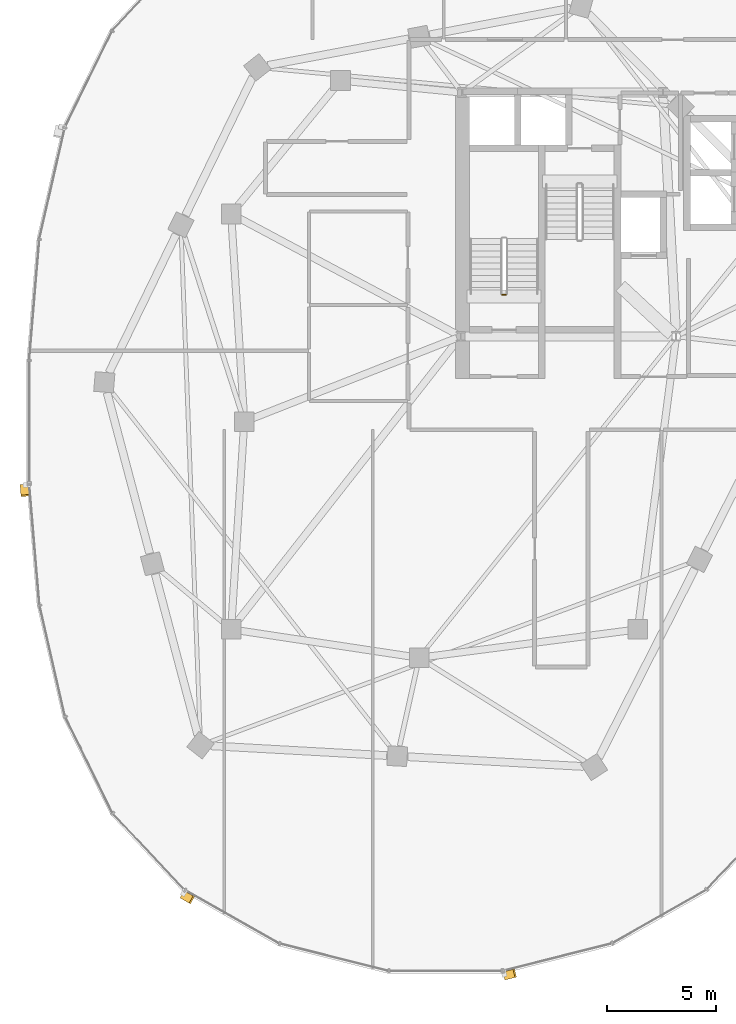
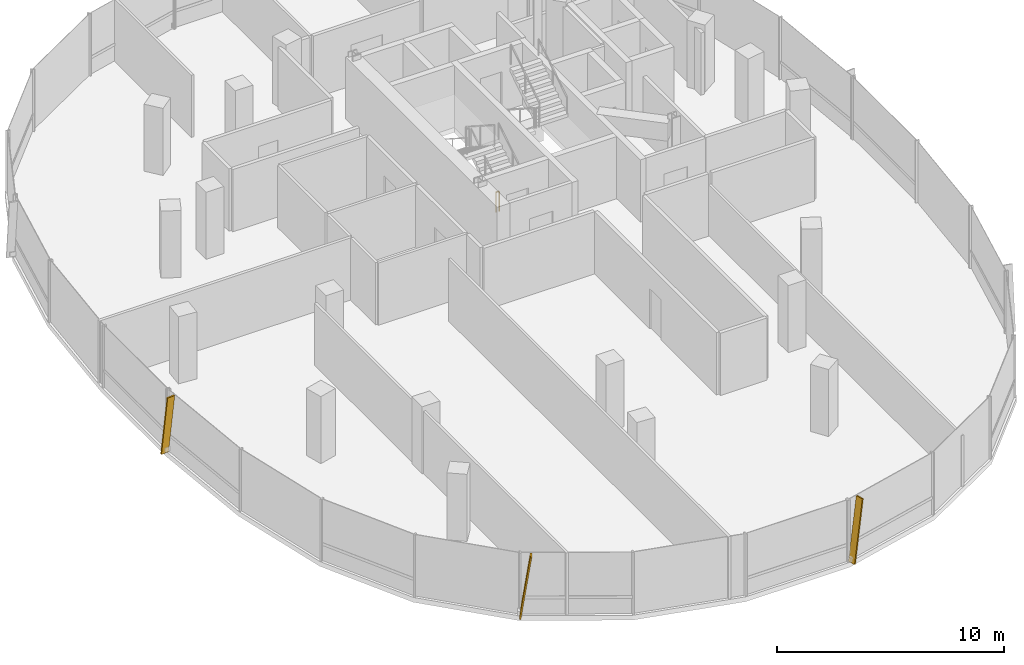
# One storey, part 21 of 25: 3 shading devices, 1 railing.
"""IFC4 building model written with IfcOpenShell, lengths in metres."""

import ifcopenshell
import ifcopenshell.guid

model = None  # the IFC model being written
_history = None  # IfcOwnerHistory: only IFC2X3 demands one
_inside = {}  # id of a spatial element -> (the spatial element, [elements in it])
_under = {}  # id of a project, library or spatial element -> (it, [spatial elements below it])
_declared = {}  # id of a project -> (the project, [libraries it declares])
_typed = {}  # id of a type object -> (the type object, [elements of that type])
_made_of = {}  # id of a material, layer set ... -> (it, [elements and type objects made of it])


def new_model(schema):
    """Start an empty IFC model of exactly this schema.

    Asked for "IFC4X3", IfcOpenShell would pick the latest addendum, in which some entities
    have other attributes; the version numbers below select the first issue.
    IFC2X3 requires an IfcOwnerHistory on every rooted entity: one is made here for all.
    """
    global model, _history
    if schema == "IFC4X3":
        model = ifcopenshell.file(schema_version=(4, 3, 0, 0))
    else:
        model = ifcopenshell.file(schema=schema)
    _inside.clear()
    _under.clear()
    _declared.clear()
    _typed.clear()
    _made_of.clear()
    _history = None
    if model.schema == "IFC2X3":
        org = make("IfcOrganization", Name="unknown")
        user = make(
            "IfcPersonAndOrganization",
            ThePerson=make("IfcPerson", FamilyName="unknown"),
            TheOrganization=org,
        )
        app = make(
            "IfcApplication",
            ApplicationDeveloper=org,
            Version="unknown",
            ApplicationFullName="unknown",
            ApplicationIdentifier="unknown",
        )
        _history = make(
            "IfcOwnerHistory",
            OwningUser=user,
            OwningApplication=app,
            ChangeAction="ADDED",
            CreationDate=0,
        )
    return model


def make(cls, **values):
    """One entity of the class cls with the attributes given. An attribute that is None is left unset."""
    return model.create_entity(
        cls, **{name: value for name, value in values.items() if value is not None}
    )


def rooted(cls, **values):
    """An entity with a GlobalId (a new one), such as an element, a storey or a relation."""
    return make(cls, GlobalId=ifcopenshell.guid.new(), OwnerHistory=_history, **values)


def si_unit(unit_type, name, prefix=None):
    """IfcSIUnit, for example si_unit("LENGTHUNIT", "METRE", prefix="MILLI")."""
    return make("IfcSIUnit", UnitType=unit_type, Prefix=prefix, Name=name)


def assignment(units):
    """IfcUnitAssignment: the units of a project."""
    return None if units is None else make("IfcUnitAssignment", Units=units)


def point(xyz):
    """IfcCartesianPoint."""
    return None if xyz is None else make("IfcCartesianPoint", Coordinates=xyz)


def direction(xyz):
    """IfcDirection."""
    return None if xyz is None else make("IfcDirection", DirectionRatios=xyz)


def frame(location, z_axis=None, x_axis=None):
    """IfcAxis2Placement3D, a coordinate frame: its origin and axes. An axis left out is left unset."""
    return make(
        "IfcAxis2Placement3D",
        Location=point(location),
        Axis=direction(z_axis),
        RefDirection=direction(x_axis),
    )


def frame_2d(location, x_axis=None):
    """IfcAxis2Placement2D, a coordinate frame in the plane: its origin and x axis."""
    return make(
        "IfcAxis2Placement2D", Location=point(location), RefDirection=direction(x_axis)
    )


def origin():
    """The frame at (0, 0, 0) with its axes left unset."""
    return frame((0.0, 0.0, 0.0))


def origin_2d():
    """The frame at (0, 0) in the plane with its x axis left unset."""
    return frame_2d((0.0, 0.0))


def place(relative_to, where):
    """IfcLocalPlacement: puts the frame where relative to a parent placement (None: the world)."""
    return make(
        "IfcLocalPlacement", PlacementRelTo=relative_to, RelativePlacement=where
    )


def context(
    kind, dimensions, precision=None, world=None, true_north=None, identifier=None
):
    """IfcGeometricRepresentationContext, for example the 3D "Model" context."""
    return make(
        "IfcGeometricRepresentationContext",
        ContextIdentifier=identifier,
        ContextType=kind,
        CoordinateSpaceDimension=dimensions,
        Precision=precision,
        WorldCoordinateSystem=world,
        TrueNorth=true_north,
    )


def subcontext(parent, identifier, kind, view, scale=None):
    """IfcGeometricRepresentationSubContext, for example "Body" below "Model"."""
    return make(
        "IfcGeometricRepresentationSubContext",
        ContextIdentifier=identifier,
        ContextType=kind,
        ParentContext=parent,
        TargetScale=scale,
        TargetView=view,
    )


def project(units=None, contexts=None):
    """IfcProject with its units and contexts."""
    return rooted(
        "IfcProject",
        Name="project",
        RepresentationContexts=contexts,
        UnitsInContext=assignment(units),
    )


def spatial(cls, under=None, at=None, **own):
    """A site, building, storey or space (cls), placed at a placement, below another one or the project."""
    s = rooted(cls, ObjectPlacement=at, **own)
    if under is not None:
        _under.setdefault(under.id(), (under, []))[1].append(s)
    return s


def profile(cls, at=None, kind="AREA", **sizes):
    """A parametric profile (cls). Its sizes go by their IFC names, for example OverallWidth=200.0."""
    return make(cls, ProfileType=kind, Position=at, **sizes)


def rectangle(**sizes):
    """IfcRectangleProfileDef."""
    return profile("IfcRectangleProfileDef", **sizes)


def extrude(swept, where, along, depth):
    """IfcExtrudedAreaSolid: the profile swept, set in the frame where, extruded along a direction by depth."""
    return make(
        "IfcExtrudedAreaSolid",
        SweptArea=swept,
        Position=where,
        ExtrudedDirection=direction(along),
        Depth=depth,
    )


def shape(context_of_items, identifier, shape_type, items):
    """IfcShapeRepresentation: the items that make up one representation, for example the "Body"."""
    return make(
        "IfcShapeRepresentation",
        ContextOfItems=context_of_items,
        RepresentationIdentifier=identifier,
        RepresentationType=shape_type,
        Items=items,
    )


def material(Name=None, Category=None):
    """IfcMaterial."""
    return make("IfcMaterial", Name=Name, Category=Category)


def material_profile(
    of_material, cross_section, Name=None, Category=None, Priority=None
):
    """IfcMaterialProfile: a cross section and its material."""
    return make(
        "IfcMaterialProfile",
        Name=Name,
        Material=of_material,
        Profile=cross_section,
        Priority=Priority,
        Category=Category,
    )


def profile_set(profiles, Name=None, composite=None):
    """IfcMaterialProfileSet."""
    return make(
        "IfcMaterialProfileSet",
        Name=Name,
        MaterialProfiles=profiles,
        CompositeProfile=composite,
    )


def made_of(thing, what):
    """Note that an element or type object is made of a material, layer set ...; save() writes the relation."""
    if what is not None:
        _made_of.setdefault(what.id(), (what, []))[1].append(thing)
    return thing


def type_object(cls, material=None, **own):
    """A type object (cls), such as IfcWallType, which elements share."""
    return made_of(rooted(cls, **own), material)


def element(
    cls,
    number,
    at=None,
    inside=None,
    cuts=None,
    type_object=None,
    material=None,
    context=None,
    identifier="Body",
    shape_type=None,
    held_by="IfcProductDefinitionShape",
    body=None,
    shapes=None,
    **own,
):
    """One element of the class cls, such as IfcWall. Its Tag is "e" and its number.

    at: its placement. inside: the storey or other place that contains it. cuts: it is an
    opening in that element (IfcRelVoidsElement). A single representation is given by context,
    identifier, shape_type and body (its items); several are given by shapes. held_by: the class
    of the entity that holds the representations. save() writes the other relations.
    """
    e = rooted(cls, Tag="e%d" % number, ObjectPlacement=at, **own)
    if body is not None:
        shapes = [shape(context, identifier, shape_type, body)]
    if shapes is not None:
        e.Representation = make(held_by, Representations=shapes)
    if inside is not None:
        _inside.setdefault(inside.id(), (inside, []))[1].append(e)
    if cuts is not None:
        rooted(
            "IfcRelVoidsElement", RelatingBuildingElement=cuts, RelatedOpeningElement=e
        )
    if type_object is not None:
        _typed.setdefault(type_object.id(), (type_object, []))[1].append(e)
    return made_of(e, material)


def aggregate(whole, parts):
    """IfcRelAggregates: a whole, such as a stair, and the parts it consists of."""
    return rooted("IfcRelAggregates", RelatingObject=whole, RelatedObjects=parts)


def save(model, path):
    """Write the relations noted so far, then the file.

    IfcRelAggregates (storeys below a building ...), IfcRelContainedInSpatialStructure (elements
    in a storey), IfcRelDefinesByType, IfcRelAssociatesMaterial and IfcRelDeclares: one each for
    every whole, place, type object, material and project.
    """
    for whole, parts in _under.values():
        aggregate(whole, parts)
    for where, things in _inside.values():
        rooted(
            "IfcRelContainedInSpatialStructure",
            RelatedElements=things,
            RelatingStructure=where,
        )
    for kind, things in _typed.values():
        rooted("IfcRelDefinesByType", RelatedObjects=things, RelatingType=kind)
    for what, things in _made_of.values():
        rooted("IfcRelAssociatesMaterial", RelatedObjects=things, RelatingMaterial=what)
    for by, libraries in _declared.values():
        rooted("IfcRelDeclares", RelatingContext=by, RelatedDefinitions=libraries)
    model.write(path)


model = new_model("IFC4")

# Units and contexts
model_context = context("Model", 3, precision=1e-05, world=origin(), true_north=direction((0.0, 1.0)))
body_context = subcontext(model_context, "Body", "Model", "MODEL_VIEW")
ifc_project = project(units=[si_unit("LENGTHUNIT", "METRE"), si_unit("AREAUNIT", "SQUARE_METRE"), si_unit("VOLUMEUNIT", "CUBIC_METRE"), si_unit("PLANEANGLEUNIT", "RADIAN"), si_unit("MASSUNIT", "GRAM", prefix="KILO"), si_unit("THERMODYNAMICTEMPERATUREUNIT", "KELVIN"), si_unit("POWERUNIT", "WATT")], contexts=[model_context])

# Site, building, storey
site_placement = place(None, origin())
site = spatial("IfcSite", under=ifc_project, at=site_placement, CompositionType="ELEMENT")
building_placement = place(site_placement, origin())
building = spatial("IfcBuilding", under=site, at=building_placement, Name="Cundina Bronze Exchange", CompositionType="ELEMENT")
storey_placement = place(building_placement, frame((0.0, 0.0, 191.800048828125)))
storey = spatial("IfcBuildingStorey", under=building, at=storey_placement, Name="L50", CompositionType="ELEMENT", Elevation=191.800048828125)

# Railing
ifc_material_1 = material(Name="Steel ASTM A36 Painted", Category="steel")
railing_type = type_object("IfcRailingType", Name="RLG-STG-1100", PredefinedType="GUARDRAIL", material=ifc_material_1)
railing_placement = place(storey_placement, frame((-29.239990234375, 5.800048828125, 0.0)))
element("IfcRailing", 1, at=railing_placement, inside=storey, type_object=railing_type, Name="L50 ST-W1 stair guard 4", PredefinedType="GUARDRAIL", context=body_context, shape_type="SweptSolid", body=[
    extrude(rectangle(XDim=0.048095703125, YDim=0.048095703125, at=origin_2d()), frame((0.0, 0.0, 1.076171875), z_axis=(-1.0, 0.0, 0.0), x_axis=(0.0, -1.0, 0.0)), (0.0, 0.0, 1.0), 0.159912109375),
    extrude(rectangle(XDim=0.0419921875, YDim=0.0419921875, at=origin_2d()), origin(), (0.0, 0.0, 1.0), 1.052001953125),
    extrude(rectangle(XDim=0.0419921875, YDim=0.0419921875, at=origin_2d()), frame((-0.159912109375, 0.0, 0.0)), (0.0, 0.0, 1.0), 1.052001953125),
])

# Shading devices
ifc_material_2 = material(Name="Anodised Bronze Aluminium 6063-T6", Category="aluminium")
ifc_material_profile = material_profile(ifc_material_2, rectangle(XDim=0.070068359375, YDim=0.3798828125, at=origin_2d()), Name="FIN70X380", Category="aluminium")
ifc_profile_set = profile_set([ifc_material_profile], Name="Anodised Bronze Aluminium 6063-T6")
shading_device_type = type_object("IfcShadingDeviceType", Name="SHD-FIN-BRZ380", PredefinedType="USERDEFINED", material=ifc_profile_set)
for number, where, z_axis, x_axis, name in (
    (2, (-51.264404296875, -2.90283203125, 0.02001953125), (0.012006555776, -0.143419772964, 0.98958911238), (-0.082555834947, 0.986139516224, 0.143921466983), "L50 Diagonal Bronze Solar Fin 1"),
    (3, (-44.015625, -21.635498046875, 0.02001953125), (0.125189514072, -0.071087145125, 0.989582843103), (-0.860526986551, 0.488638423358, 0.143964567292), "L50 Diagonal Bronze Solar Fin 5"),
    (4, (-29.294189453125, -25.344482421875, 0.02001953125), (0.139611891367, 0.03514090606, 0.989582556693), (-0.959650042543, -0.24154799183, 0.143966536007), "L50 Diagonal Bronze Solar Fin 1"),
):
    element("IfcShadingDevice", number, at=place(storey_placement, frame(where, z_axis=z_axis, x_axis=x_axis)), inside=storey, type_object=shading_device_type, Name=name, ObjectType="FIN", PredefinedType="USERDEFINED", context=body_context, shape_type="SweptSolid", body=[
        extrude(rectangle(XDim=0.070068359375, YDim=0.3798828125, at=origin_2d()), origin(), (0.0, 0.0, 1.0), 3.334716796875),
    ])

save(model, "model.ifc")
